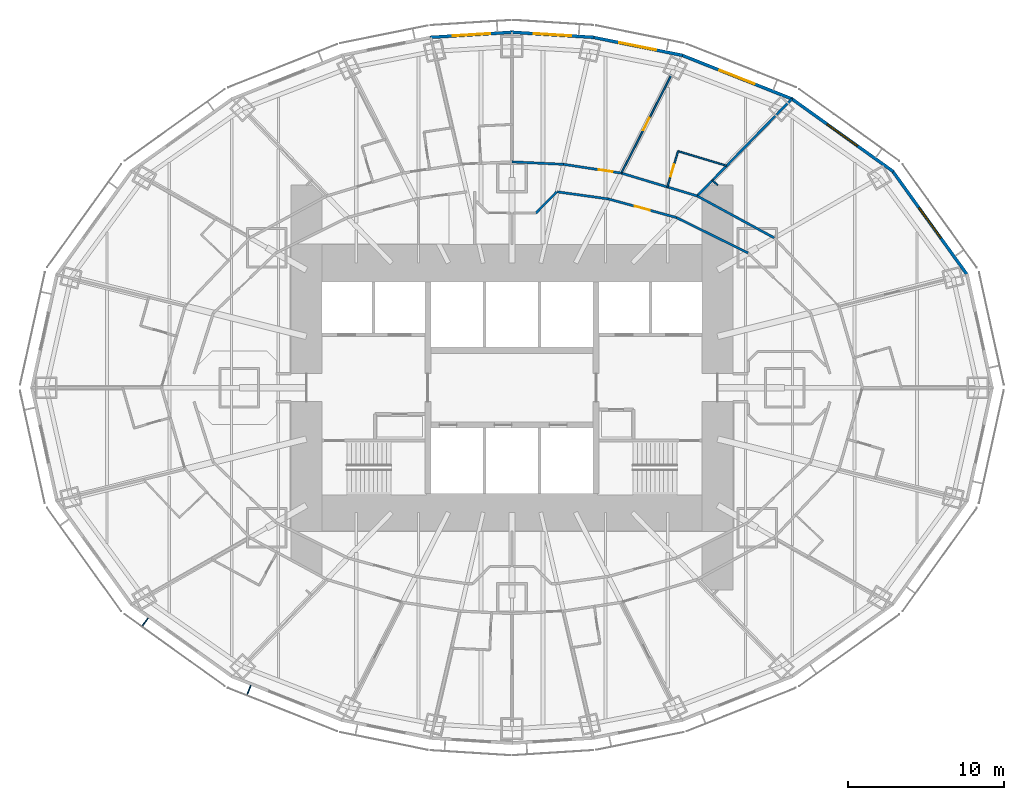
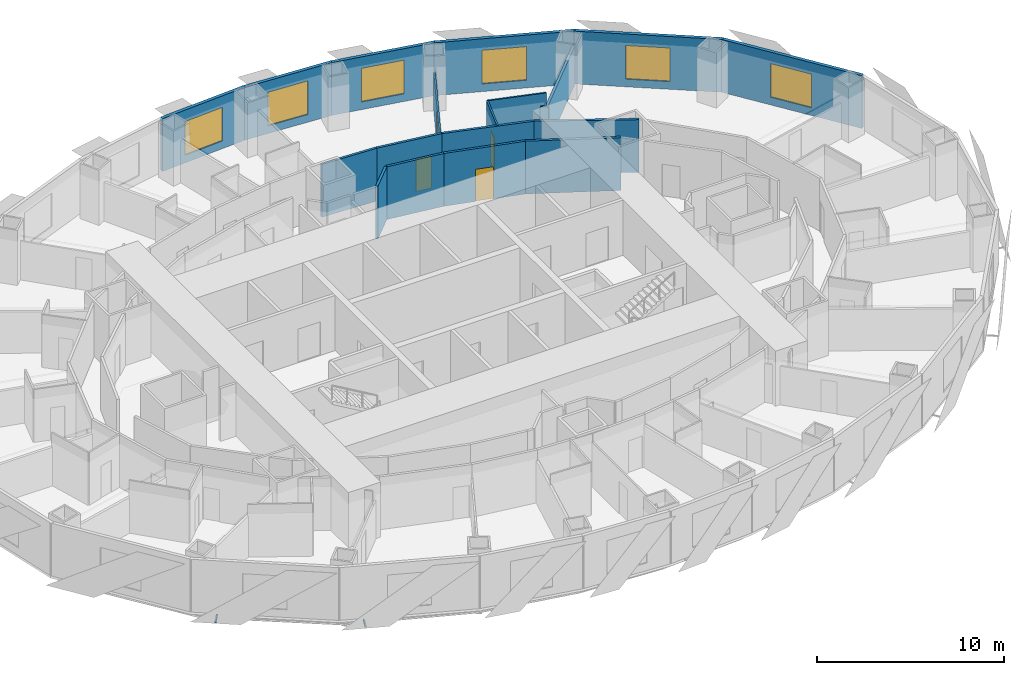
# One storey, part 10 of 15: 19 walls, 6 windows, 4 doors, 2 discrete accessories, 10 openings.
"""IFC4 building model written with IfcOpenShell, lengths in metres."""

from ifc_helpers import new_model, si_unit, direction, frame, frame_2d, origin, origin_2d, place, context, subcontext, project, spatial, rectangle, extrude, material, layer, layer_set, type_object, element, fill, save


model = new_model("IFC4")

# Units and contexts
model_context = context("Model", 3, precision=1e-05, world=origin(), true_north=direction((0.0, 1.0)))
body_context = subcontext(model_context, "Body", "Model", "MODEL_VIEW")
ifc_project = project(units=[si_unit("LENGTHUNIT", "METRE"), si_unit("AREAUNIT", "SQUARE_METRE"), si_unit("VOLUMEUNIT", "CUBIC_METRE"), si_unit("PLANEANGLEUNIT", "RADIAN"), si_unit("MASSUNIT", "GRAM", prefix="KILO")], contexts=[model_context])

# Site, building, storey
site_placement = place(None, origin())
site = spatial("IfcSite", under=ifc_project, at=site_placement, CompositionType="ELEMENT")
building_placement = place(site_placement, origin())
building = spatial("IfcBuilding", under=site, at=building_placement, Name="Lantaw Convention Tower", CompositionType="ELEMENT")
storey_placement = place(building_placement, frame((0.0, 0.0, 44.199951171875)))
storey = spatial("IfcBuildingStorey", under=building, at=storey_placement, Name="L08", CompositionType="ELEMENT", Elevation=44.199951171875)

# Wall, opening, door
ifc_material_1 = material(Name="Moisture resistant gypsum board on steel studs", Category="steel")
ifc_layer_1 = layer(ifc_material_1, 0.10009765625)
ifc_layer_set_1 = layer_set([ifc_layer_1], Name="Bathroom wall 100")
wall_type_1 = type_object("IfcWallType", Name="Bathroom wall 100", PredefinedType="PARTITIONING", material=ifc_layer_set_1)
wall_1_placement = place(storey_placement, frame((9.97314453125, 12.88720703125, 0.0), z_axis=(0.0, 0.0, 1.0), x_axis=(0.288290341405, 0.957543042924, 0.0)))
wall_1 = element("IfcWall", 1, at=wall_1_placement, inside=storey, type_object=wall_type_1, Name="Bathroom wall 100", PredefinedType="PARTITIONING", context=body_context, shape_type="SweptSolid", body=[
    extrude(rectangle(XDim=2.39990234375, YDim=0.10009765625, at=frame_2d((1.199951171875, 0.0))), origin(), (0.0, 0.0, 1.0), 3.449951171875),
])
opening_1_placement = place(wall_1_placement, frame((0.699951171875, 0.0, 0.0)))
opening_1 = element("IfcOpeningElement", 2, at=opening_1_placement, cuts=wall_1, Name="Opening L08.29", PredefinedType="OPENING", context=body_context, shape_type="SweptSolid", body=[
    extrude(rectangle(XDim=0.800048828125, YDim=2.10009765625, at=frame_2d((0.39990234375, 1.050048828125))), frame((0.0, 0.06005859375, 0.0), z_axis=(0.0, -1.0, 0.0), x_axis=(1.0, 0.0, 0.0)), (0.0, 0.0, 1.0), 0.1201171875),
])
ifc_material_2 = material(Name="Timber", Category="wood")
door_type_1 = type_object("IfcDoorType", Name="Bathroom door 800", OperationType="SINGLE_SWING_LEFT", PredefinedType="DOOR", material=ifc_material_2)
door_1_placement = place(opening_1_placement, origin())
door_1 = element("IfcDoor", 3, at=door_1_placement, inside=storey, type_object=door_type_1, Name="Bathroom door", OperationType="SINGLE_SWING_LEFT", OverallHeight=2.10009765625, OverallWidth=0.800048828125, PredefinedType="DOOR", context=body_context, shape_type="SweptSolid", body=[
    extrude(rectangle(XDim=0.800048828125, YDim=2.10009765625, at=frame_2d((0.39990234375, 1.050048828125))), frame((0.0, 0.02490234375, 0.0), z_axis=(0.0, -1.0, 0.0), x_axis=(1.0, 0.0, 0.0)), (0.0, 0.0, 1.0), 0.050048828125),
])
fill(opening_1, door_1)

# Walls
wall_2_placement = place(storey_placement, frame((10.6650390625, 15.185302734375, 0.0), z_axis=(0.0, 0.0, 1.0), x_axis=(0.957568413147, -0.288206061946, 0.0)))
element("IfcWall", 4, at=wall_2_placement, inside=storey, type_object=wall_type_1, Name="Bathroom wall 100", PredefinedType="PARTITIONING", context=body_context, shape_type="SweptSolid", body=[
    extrude(rectangle(XDim=3.23583984375, YDim=0.10009765625, at=frame_2d((1.617919921875, 0.0))), origin(), (0.0, 0.0, 1.0), 3.449951171875),
])
ifc_material_3 = material(Name="Gypsum board on steel studs, fire rated", Category="steel")
ifc_layer_2 = layer(ifc_material_3, 0.14990234375)
ifc_layer_set_2 = layer_set([ifc_layer_2], Name="Corridor wall 150 EI 60")
wall_type_2 = type_object("IfcWallType", Name="Corridor wall 150 EI 60", PredefinedType="PARTITIONING", material=ifc_layer_set_2)
wall_3_placement = place(storey_placement, frame((16.8349609375, 9.6201171875, 0.0), z_axis=(0.0, 0.0, 1.0), x_axis=(-0.878450059298, 0.477834169267, 0.0)))
element("IfcWall", 5, at=wall_3_placement, inside=storey, type_object=wall_type_2, Name="Corridor wall 150", PredefinedType="PARTITIONING", context=body_context, shape_type="SweptSolid", body=[
    extrude(rectangle(XDim=5.630859375, YDim=0.14990234375, at=frame_2d((2.8154296875, 0.0))), origin(), (0.0, 0.0, 1.0), 3.449951171875),
])
wall_4_placement = place(storey_placement, frame((11.888427734375, 12.310791015625, 0.0), z_axis=(0.0, 0.0, 1.0), x_axis=(-0.957564241242, 0.288219922793, 0.0)))
element("IfcWall", 6, at=wall_4_placement, inside=storey, type_object=wall_type_2, Name="Corridor wall 150", PredefinedType="PARTITIONING", context=body_context, shape_type="SweptSolid", body=[
    extrude(rectangle(XDim=5.0849609375, YDim=0.14990234375, at=frame_2d((2.54248046875, 0.0))), origin(), (0.0, 0.0, 1.0), 3.449951171875),
])

# Wall, opening, door
wall_5_placement = place(storey_placement, frame((7.019287109375, 13.7763671875, 0.0), z_axis=(0.0, 0.0, 1.0), x_axis=(-0.988564270062, 0.150800145746, 0.0)))
wall_5 = element("IfcWall", 7, at=wall_5_placement, inside=storey, type_object=wall_type_2, Name="Corridor wall 150", PredefinedType="PARTITIONING", context=body_context, shape_type="SweptSolid", body=[
    extrude(rectangle(XDim=3.751220703125, YDim=0.14990234375, at=frame_2d((1.87548828125, 0.0))), origin(), (0.0, 0.0, 1.0), 3.449951171875),
])
opening_2_placement = place(wall_5_placement, frame((0.5751953125, 0.0, 0.0)))
opening_2 = element("IfcOpeningElement", 8, at=opening_2_placement, cuts=wall_5, Name="Opening L08.31", PredefinedType="OPENING", context=body_context, shape_type="SweptSolid", body=[
    extrude(rectangle(XDim=0.89990234375, YDim=2.10009765625, at=frame_2d((0.449951171875, 1.050048828125))), frame((0.0, 0.0849609375, 0.0), z_axis=(0.0, -1.0, 0.0), x_axis=(1.0, 0.0, 0.0)), (0.0, 0.0, 1.0), 0.169921875),
])
ifc_material_4 = material(Name="Steel, fire rated", Category="steel")
door_type_2 = type_object("IfcDoorType", Name="Guest room entrance door FD30S", OperationType="SINGLE_SWING_LEFT", PredefinedType="DOOR", material=ifc_material_4)
door_2_placement = place(opening_2_placement, origin())
door_2 = element("IfcDoor", 9, at=door_2_placement, inside=storey, type_object=door_type_2, Name="Suite entrance door", OperationType="SINGLE_SWING_LEFT", OverallHeight=2.10009765625, OverallWidth=0.89990234375, PredefinedType="DOOR", context=body_context, shape_type="SweptSolid", body=[
    extrude(rectangle(XDim=0.89990234375, YDim=2.10009765625, at=frame_2d((0.449951171875, 1.050048828125))), frame((0.0, 0.02490234375, 0.0), z_axis=(0.0, -1.0, 0.0), x_axis=(1.0, 0.0, 0.0)), (0.0, 0.0, 1.0), 0.050048828125),
])
fill(opening_2, door_2)

# Walls
wall_6_placement = place(storey_placement, frame((3.31103515625, 14.342041015625, 0.0), z_axis=(0.0, 0.0, 1.0), x_axis=(-0.998863968075, 0.047652631422, 0.0)))
element("IfcWall", 10, at=wall_6_placement, inside=storey, type_object=wall_type_2, Name="Corridor wall 150", PredefinedType="PARTITIONING", context=body_context, shape_type="SweptSolid", body=[
    extrude(rectangle(XDim=3.314697265625, YDim=0.14990234375, at=frame_2d((1.6572265625, 0.0))), origin(), (0.0, 0.0, 1.0), 3.449951171875),
])
wall_7_placement = place(storey_placement, frame((15.1474609375, 8.65576171875, 0.0), z_axis=(0.0, 0.0, 1.0), x_axis=(-0.89656943448, 0.442903205177, 0.0)))
element("IfcWall", 11, at=wall_7_placement, inside=storey, type_object=wall_type_2, Name="Corridor wall 150", PredefinedType="PARTITIONING", context=body_context, shape_type="SweptSolid", body=[
    extrude(rectangle(XDim=5.12646484375, YDim=0.14990234375, at=frame_2d((2.563232421875, 0.0))), origin(), (0.0, 0.0, 1.0), 3.449951171875),
])

# Wall, opening, door
wall_8_placement = place(storey_placement, frame((10.55126953125, 10.92626953125, 0.0), z_axis=(0.0, 0.0, 1.0), x_axis=(-0.964644466646, 0.263554648923, 0.0)))
wall_8 = element("IfcWall", 12, at=wall_8_placement, inside=storey, type_object=wall_type_2, Name="Corridor wall 150", PredefinedType="PARTITIONING", context=body_context, shape_type="SweptSolid", body=[
    extrude(rectangle(XDim=4.535400390625, YDim=0.14990234375, at=frame_2d((2.267578125, 0.0))), origin(), (0.0, 0.0, 1.0), 3.449951171875),
])
opening_3_placement = place(wall_8_placement, frame((1.767578125, 0.0, 0.0)))
opening_3 = element("IfcOpeningElement", 13, at=opening_3_placement, cuts=wall_8, Name="Opening L08.16", PredefinedType="OPENING", context=body_context, shape_type="SweptSolid", body=[
    extrude(rectangle(XDim=1.0, YDim=2.10009765625, at=frame_2d((0.5, 1.050048828125))), frame((0.0, 0.0849609375, 0.0), z_axis=(0.0, -1.0, 0.0), x_axis=(1.0, 0.0, 0.0)), (0.0, 0.0, 1.0), 0.169921875),
])
door_type_3 = type_object("IfcDoorType", Name="Service door 1000 FD30", OperationType="SINGLE_SWING_LEFT", PredefinedType="DOOR", material=ifc_material_4)
door_3_placement = place(opening_3_placement, origin())
door_3 = element("IfcDoor", 14, at=door_3_placement, inside=storey, type_object=door_type_3, Name="Linen store door", OperationType="SINGLE_SWING_LEFT", OverallHeight=2.10009765625, OverallWidth=1.0, PredefinedType="DOOR", context=body_context, shape_type="SweptSolid", body=[
    extrude(rectangle(XDim=1.0, YDim=2.10009765625, at=frame_2d((0.5, 1.050048828125))), frame((0.0, 0.02490234375, 0.0), z_axis=(0.0, -1.0, 0.0), x_axis=(1.0, 0.0, 0.0)), (0.0, 0.0, 1.0), 0.050048828125),
])
fill(opening_3, door_3)

# Walls
wall_9_placement = place(storey_placement, frame((6.17626953125, 12.12158203125, 0.0), z_axis=(0.0, 0.0, 1.0), x_axis=(-0.990563451353, 0.137054911782, 0.0)))
element("IfcWall", 15, at=wall_9_placement, inside=storey, type_object=wall_type_2, Name="Corridor wall 150", PredefinedType="PARTITIONING", context=body_context, shape_type="SweptSolid", body=[
    extrude(rectangle(XDim=3.304443359375, YDim=0.14990234375, at=frame_2d((1.65234375, 0.0))), origin(), (0.0, 0.0, 1.0), 3.449951171875),
])
wall_10_placement = place(storey_placement, frame((2.87255859375, 12.572265625, 0.0), z_axis=(0.0, 0.0, 1.0), x_axis=(-0.702677261973, -0.711508724828, 0.0)))
element("IfcWall", 16, at=wall_10_placement, inside=storey, type_object=wall_type_2, Name="Corridor wall 150", PredefinedType="PARTITIONING", context=body_context, shape_type="SweptSolid", body=[
    extrude(rectangle(XDim=1.907470703125, YDim=0.14990234375, at=frame_2d((0.95361328125, 0.0))), origin(), (0.0, 0.0, 1.0), 3.449951171875),
])

# Wall, opening, window
ifc_material_5 = material(Name="Insulated aluminium panel on steel frame", Category="steel")
ifc_layer_3 = layer(ifc_material_5, 0.199951171875)
ifc_layer_set_3 = layer_set([ifc_layer_3], Name="External wall 200")
wall_type_3 = type_object("IfcWallType", Name="External wall 200", PredefinedType="SOLIDWALL", material=ifc_layer_set_3)
wall_11_placement = place(storey_placement, frame((29.260498046875, 7.199951171875, 0.0), z_axis=(0.0, 0.0, 1.0), x_axis=(-0.583937613703, 0.811798536155, 0.0)))
wall_11 = element("IfcWall", 17, at=wall_11_placement, inside=storey, type_object=wall_type_3, Name="Facade panel wall", PredefinedType="SOLIDWALL", context=body_context, shape_type="SweptSolid", body=[
    extrude(rectangle(XDim=8.322998046875, YDim=0.199951171875, at=frame_2d((4.16162109375, 0.0))), origin(), (0.0, 0.0, 1.0), 3.449951171875),
])
opening_4_placement = place(wall_11_placement, frame((2.96142578125, 0.0, 0.5)))
opening_4 = element("IfcOpeningElement", 18, at=opening_4_placement, cuts=wall_11, Name="Opening W1", PredefinedType="OPENING", context=body_context, shape_type="SweptSolid", body=[
    extrude(rectangle(XDim=2.39990234375, YDim=2.199951171875, at=frame_2d((1.199951171875, 1.10009765625))), frame((0.0, 0.10986328125, 0.0), z_axis=(0.0, -1.0, 0.0), x_axis=(1.0, 0.0, 0.0)), (0.0, 0.0, 1.0), 0.219970703125),
])
ifc_material_6 = material(Name="Aluminium frame, clear insulating glass", Category="aluminium")
window_type = type_object("IfcWindowType", Name="Guest room window 2400x2200", PartitioningType="SINGLE_PANEL", PredefinedType="WINDOW", material=ifc_material_6)
window_1_placement = place(opening_4_placement, origin())
window_1 = element("IfcWindow", 19, at=window_1_placement, inside=storey, type_object=window_type, Name="Guest room window", OverallHeight=2.199951171875, OverallWidth=2.39990234375, PartitioningType="SINGLE_PANEL", PredefinedType="WINDOW", context=body_context, shape_type="SweptSolid", body=[
    extrude(rectangle(XDim=2.39990234375, YDim=2.199951171875, at=frame_2d((1.199951171875, 1.10009765625))), frame((0.0, 0.030029296875, 0.0), z_axis=(0.0, -1.0, 0.0), x_axis=(1.0, 0.0, 0.0)), (0.0, 0.0, 1.0), 0.06005859375),
])
fill(opening_4, window_1)

wall_12_placement = place(storey_placement, frame((24.482421875, 13.87451171875, 0.0), z_axis=(0.0, 0.0, 1.0), x_axis=(-0.812791321576, 0.582554948112, 0.0)))
wall_12 = element("IfcWall", 20, at=wall_12_placement, inside=storey, type_object=wall_type_3, Name="Facade panel wall", PredefinedType="SOLIDWALL", context=body_context, shape_type="SweptSolid", body=[
    extrude(rectangle(XDim=8.063232421875, YDim=0.199951171875, at=frame_2d((4.03173828125, 0.0))), origin(), (0.0, 0.0, 1.0), 3.449951171875),
])
opening_5_placement = place(wall_12_placement, frame((2.83154296875, 0.0, 0.5)))
opening_5 = element("IfcOpeningElement", 21, at=opening_5_placement, cuts=wall_12, Name="Opening W1", PredefinedType="OPENING", context=body_context, shape_type="SweptSolid", body=[
    extrude(rectangle(XDim=2.39990234375, YDim=2.199951171875, at=frame_2d((1.199951171875, 1.10009765625))), frame((0.0, 0.10986328125, 0.0), z_axis=(0.0, -1.0, 0.0), x_axis=(1.0, 0.0, 0.0)), (0.0, 0.0, 1.0), 0.219970703125),
])
window_2_placement = place(opening_5_placement, origin())
window_2 = element("IfcWindow", 22, at=window_2_placement, inside=storey, type_object=window_type, Name="Guest room window", OverallHeight=2.199951171875, OverallWidth=2.39990234375, PartitioningType="SINGLE_PANEL", PredefinedType="WINDOW", context=body_context, shape_type="SweptSolid", body=[
    extrude(rectangle(XDim=2.39990234375, YDim=2.199951171875, at=frame_2d((1.199951171875, 1.10009765625))), frame((0.0, 0.030029296875, 0.0), z_axis=(0.0, -1.0, 0.0), x_axis=(1.0, 0.0, 0.0)), (0.0, 0.0, 1.0), 0.06005859375),
])
fill(opening_5, window_2)

wall_13_placement = place(storey_placement, frame((18.018310546875, 18.522705078125, 0.0), z_axis=(0.0, 0.0, 1.0), x_axis=(-0.929358351251, 0.369178892895, 0.0)))
wall_13 = element("IfcWall", 23, at=wall_13_placement, inside=storey, type_object=wall_type_3, Name="Facade panel wall", PredefinedType="SOLIDWALL", context=body_context, shape_type="SweptSolid", body=[
    extrude(rectangle(XDim=7.6923828125, YDim=0.199951171875, at=frame_2d((3.84619140625, 0.0))), origin(), (0.0, 0.0, 1.0), 3.449951171875),
])
opening_6_placement = place(wall_13_placement, frame((2.64599609375, 0.0, 0.5)))
opening_6 = element("IfcOpeningElement", 24, at=opening_6_placement, cuts=wall_13, Name="Opening W1", PredefinedType="OPENING", context=body_context, shape_type="SweptSolid", body=[
    extrude(rectangle(XDim=2.39990234375, YDim=2.199951171875, at=frame_2d((1.199951171875, 1.10009765625))), frame((0.0, 0.10986328125, 0.0), z_axis=(0.0, -1.0, 0.0), x_axis=(1.0, 0.0, 0.0)), (0.0, 0.0, 1.0), 0.219970703125),
])
window_3_placement = place(opening_6_placement, origin())
window_3 = element("IfcWindow", 25, at=window_3_placement, inside=storey, type_object=window_type, Name="Guest room window", OverallHeight=2.199951171875, OverallWidth=2.39990234375, PartitioningType="SINGLE_PANEL", PredefinedType="WINDOW", context=body_context, shape_type="SweptSolid", body=[
    extrude(rectangle(XDim=2.39990234375, YDim=2.199951171875, at=frame_2d((1.199951171875, 1.10009765625))), frame((0.0, 0.030029296875, 0.0), z_axis=(0.0, -1.0, 0.0), x_axis=(1.0, 0.0, 0.0)), (0.0, 0.0, 1.0), 0.06005859375),
])
fill(opening_6, window_3)

wall_14_placement = place(storey_placement, frame((10.956787109375, 21.336669921875, 0.0), z_axis=(0.0, 0.0, 1.0), x_axis=(-0.980251657452, 0.197754110105, 0.0)))
wall_14 = element("IfcWall", 26, at=wall_14_placement, inside=storey, type_object=wall_type_3, Name="Facade panel wall", PredefinedType="SOLIDWALL", context=body_context, shape_type="SweptSolid", body=[
    extrude(rectangle(XDim=5.90380859375, YDim=0.199951171875, at=frame_2d((2.951904296875, 0.0))), origin(), (0.0, 0.0, 1.0), 3.449951171875),
])
opening_7_placement = place(wall_14_placement, frame((1.751708984375, 0.0, 0.5)))
opening_7 = element("IfcOpeningElement", 27, at=opening_7_placement, cuts=wall_14, Name="Opening W1", PredefinedType="OPENING", context=body_context, shape_type="SweptSolid", body=[
    extrude(rectangle(XDim=2.39990234375, YDim=2.199951171875, at=frame_2d((1.199951171875, 1.10009765625))), frame((0.0, 0.10986328125, 0.0), z_axis=(0.0, -1.0, 0.0), x_axis=(1.0, 0.0, 0.0)), (0.0, 0.0, 1.0), 0.219970703125),
])
window_4_placement = place(opening_7_placement, origin())
window_4 = element("IfcWindow", 28, at=window_4_placement, inside=storey, type_object=window_type, Name="Guest room window", OverallHeight=2.199951171875, OverallWidth=2.39990234375, PartitioningType="SINGLE_PANEL", PredefinedType="WINDOW", context=body_context, shape_type="SweptSolid", body=[
    extrude(rectangle(XDim=2.39990234375, YDim=2.199951171875, at=frame_2d((1.199951171875, 1.10009765625))), frame((0.0, 0.030029296875, 0.0), z_axis=(0.0, -1.0, 0.0), x_axis=(1.0, 0.0, 0.0)), (0.0, 0.0, 1.0), 0.06005859375),
])
fill(opening_7, window_4)

wall_15_placement = place(storey_placement, frame((5.252685546875, 22.493408203125, 0.0), z_axis=(0.0, 0.0, 1.0), x_axis=(-0.998018582375, 0.062919863585, 0.0)))
wall_15 = element("IfcWall", 29, at=wall_15_placement, inside=storey, type_object=wall_type_3, Name="Facade panel wall", PredefinedType="SOLIDWALL", context=body_context, shape_type="SweptSolid", body=[
    extrude(rectangle(XDim=5.30419921875, YDim=0.199951171875, at=frame_2d((2.652099609375, 0.0))), origin(), (0.0, 0.0, 1.0), 3.449951171875),
])
opening_8_placement = place(wall_15_placement, frame((1.4521484375, 0.0, 0.5)))
opening_8 = element("IfcOpeningElement", 30, at=opening_8_placement, cuts=wall_15, Name="Opening W1", PredefinedType="OPENING", context=body_context, shape_type="SweptSolid", body=[
    extrude(rectangle(XDim=2.39990234375, YDim=2.199951171875, at=frame_2d((1.199951171875, 1.10009765625))), frame((0.0, 0.10986328125, 0.0), z_axis=(0.0, -1.0, 0.0), x_axis=(1.0, 0.0, 0.0)), (0.0, 0.0, 1.0), 0.219970703125),
])
window_5_placement = place(opening_8_placement, origin())
window_5 = element("IfcWindow", 31, at=window_5_placement, inside=storey, type_object=window_type, Name="Guest room window", OverallHeight=2.199951171875, OverallWidth=2.39990234375, PartitioningType="SINGLE_PANEL", PredefinedType="WINDOW", context=body_context, shape_type="SweptSolid", body=[
    extrude(rectangle(XDim=2.39990234375, YDim=2.199951171875, at=frame_2d((1.199951171875, 1.10009765625))), frame((0.0, 0.030029296875, 0.0), z_axis=(0.0, -1.0, 0.0), x_axis=(1.0, 0.0, 0.0)), (0.0, 0.0, 1.0), 0.06005859375),
])
fill(opening_8, window_5)

wall_16_placement = place(storey_placement, frame((0.041015625, 22.8271484375, 0.0), z_axis=(0.0, 0.0, 1.0), x_axis=(-0.998018582375, -0.062919863585, 0.0)))
wall_16 = element("IfcWall", 32, at=wall_16_placement, inside=storey, type_object=wall_type_3, Name="Facade panel wall", PredefinedType="SOLIDWALL", context=body_context, shape_type="SweptSolid", body=[
    extrude(rectangle(XDim=5.30419921875, YDim=0.199951171875, at=frame_2d((2.652099609375, 0.0))), origin(), (0.0, 0.0, 1.0), 3.449951171875),
])
opening_9_placement = place(wall_16_placement, frame((1.4521484375, 0.0, 0.5)))
opening_9 = element("IfcOpeningElement", 33, at=opening_9_placement, cuts=wall_16, Name="Opening W1", PredefinedType="OPENING", context=body_context, shape_type="SweptSolid", body=[
    extrude(rectangle(XDim=2.39990234375, YDim=2.199951171875, at=frame_2d((1.199951171875, 1.10009765625))), frame((0.0, 0.10986328125, 0.0), z_axis=(0.0, -1.0, 0.0), x_axis=(1.0, 0.0, 0.0)), (0.0, 0.0, 1.0), 0.219970703125),
])
window_6_placement = place(opening_9_placement, origin())
window_6 = element("IfcWindow", 34, at=window_6_placement, inside=storey, type_object=window_type, Name="Guest room window", OverallHeight=2.199951171875, OverallWidth=2.39990234375, PartitioningType="SINGLE_PANEL", PredefinedType="WINDOW", context=body_context, shape_type="SweptSolid", body=[
    extrude(rectangle(XDim=2.39990234375, YDim=2.199951171875, at=frame_2d((1.199951171875, 1.10009765625))), frame((0.0, 0.030029296875, 0.0), z_axis=(0.0, -1.0, 0.0), x_axis=(1.0, 0.0, 0.0)), (0.0, 0.0, 1.0), 0.06005859375),
])
fill(opening_9, window_6)

# Walls
ifc_material_7 = material(Name="Gypsum board on steel studs, acoustic", Category="steel")
ifc_layer_4 = layer(ifc_material_7, 0.14990234375)
ifc_layer_set_4 = layer_set([ifc_layer_4], Name="Guest room party wall 150")
wall_type_4 = type_object("IfcWallType", Name="Guest room party wall 150", PredefinedType="PARTITIONING", material=ifc_layer_set_4)
wall_17_placement = place(storey_placement, frame((17.970458984375, 18.541748046875, 0.0), z_axis=(0.0, 0.0, 1.0), x_axis=(-0.698503223934, -0.715606907564, 0.0)))
element("IfcWall", 35, at=wall_17_placement, inside=storey, type_object=wall_type_4, Name="Guest room party wall 150", PredefinedType="PARTITIONING", context=body_context, shape_type="SweptSolid", body=[
    extrude(rectangle(XDim=8.707275390625, YDim=0.14990234375, at=frame_2d((4.353515625, 0.0))), origin(), (0.0, 0.0, 1.0), 2.528076171875),
])
ifc_layer_5 = layer(ifc_material_7, 0.10009765625)
ifc_layer_set_5 = layer_set([ifc_layer_5], Name="Office partition 100")
wall_type_5 = type_object("IfcWallType", Name="Office partition 100", PredefinedType="PARTITIONING", material=ifc_layer_set_5)
wall_18_placement = place(storey_placement, frame((13.199951171875, 13.0, 0.0), z_axis=(0.0, 0.0, 1.0), x_axis=(-0.715599628005, 0.698510681664, 0.0)))
element("IfcWall", 36, at=wall_18_placement, inside=storey, type_object=wall_type_5, Name="Office partition 100", PredefinedType="PARTITIONING", context=body_context, shape_type="SweptSolid", body=[
    extrude(rectangle(XDim=0.457275390625, YDim=0.10009765625, at=frame_2d((0.228515625, 0.0))), origin(), (0.0, 0.0, 1.0), 3.449951171875),
])

# Wall, opening, door
ifc_material_8 = material(Name="Gypsum board on steel studs", Category="steel")
ifc_layer_6 = layer(ifc_material_8, 0.10009765625)
ifc_layer_set_6 = layer_set([ifc_layer_6], Name="Suite partition 100")
wall_type_6 = type_object("IfcWallType", Name="Suite partition 100", PredefinedType="PARTITIONING", material=ifc_layer_set_6)
wall_19_placement = place(storey_placement, frame((10.235595703125, 20.08837890625, 0.0), z_axis=(0.0, 0.0, 1.0), x_axis=(-0.454010445571, -0.890996360998, 0.0)))
wall_19 = element("IfcWall", 37, at=wall_19_placement, inside=storey, type_object=wall_type_6, Name="Suite partition 100", PredefinedType="PARTITIONING", context=body_context, shape_type="SweptSolid", body=[
    extrude(rectangle(XDim=7.084228515625, YDim=0.10009765625, at=frame_2d((3.5419921875, 0.0))), origin(), (0.0, 0.0, 1.0), 2.528076171875),
])
opening_10_placement = place(wall_19_placement, frame((3.092041015625, 0.0, 0.0)))
opening_10 = element("IfcOpeningElement", 38, at=opening_10_placement, cuts=wall_19, Name="Opening L08.30", PredefinedType="OPENING", context=body_context, shape_type="SweptSolid", body=[
    extrude(rectangle(XDim=0.89990234375, YDim=2.10009765625, at=frame_2d((0.449951171875, 1.050048828125))), frame((0.0, 0.06005859375, 0.0), z_axis=(0.0, -1.0, 0.0), x_axis=(1.0, 0.0, 0.0)), (0.0, 0.0, 1.0), 0.1201171875),
])
door_type_4 = type_object("IfcDoorType", Name="Suite door 900", OperationType="SINGLE_SWING_LEFT", PredefinedType="DOOR", material=ifc_material_2)
door_4_placement = place(opening_10_placement, origin())
door_4 = element("IfcDoor", 39, at=door_4_placement, inside=storey, type_object=door_type_4, Name="Bedroom door", OperationType="SINGLE_SWING_LEFT", OverallHeight=2.10009765625, OverallWidth=0.89990234375, PredefinedType="DOOR", context=body_context, shape_type="SweptSolid", body=[
    extrude(rectangle(XDim=0.89990234375, YDim=2.10009765625, at=frame_2d((0.449951171875, 1.050048828125))), frame((0.0, 0.02490234375, 0.0), z_axis=(0.0, -1.0, 0.0), x_axis=(1.0, 0.0, 0.0)), (0.0, 0.0, 1.0), 0.050048828125),
])
fill(opening_10, door_4)

# Discrete accessories
for number, where, z_axis, x_axis, name in (
    (40, (-23.564453125, -15.06640625, -0.114990234375), (0.0, 0.0, 1.0), (0.812803733199, -0.5825376308, 0.0), "Screen bracket"),
    (41, (-16.898193359375, -19.4345703125, -0.114990234375), (0.0, 0.0, 1.0), (0.929361152748, -0.369171840425, 0.0), "Screen bracket"),
):
    element("IfcDiscreteAccessory", number, at=place(storey_placement, frame(where, z_axis=z_axis, x_axis=x_axis)), inside=storey, Name=name, PredefinedType="BRACKET", context=body_context, shape_type="SweptSolid", body=[
        extrude(rectangle(XDim=0.080078125, YDim=0.68798828125, at=origin_2d()), origin(), (0.0, 0.0, 1.0), 0.080078125),
    ])

save(model, "model.ifc")
